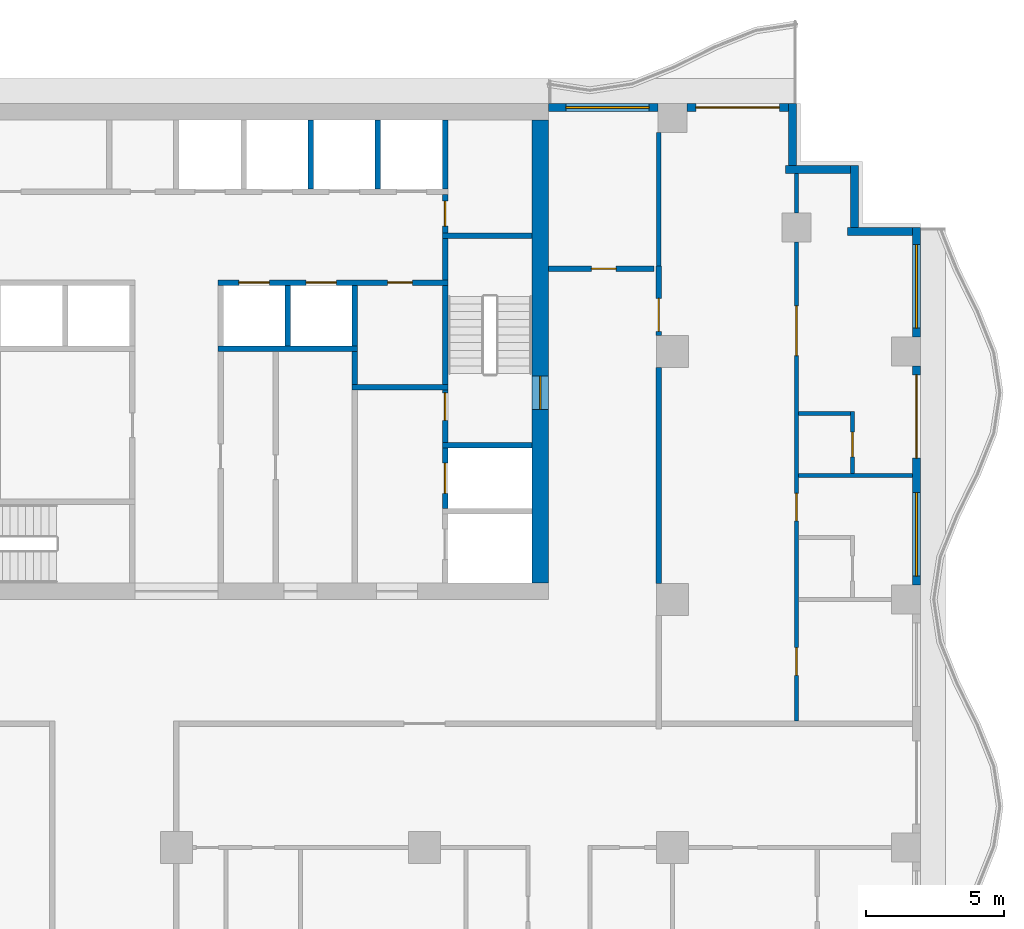
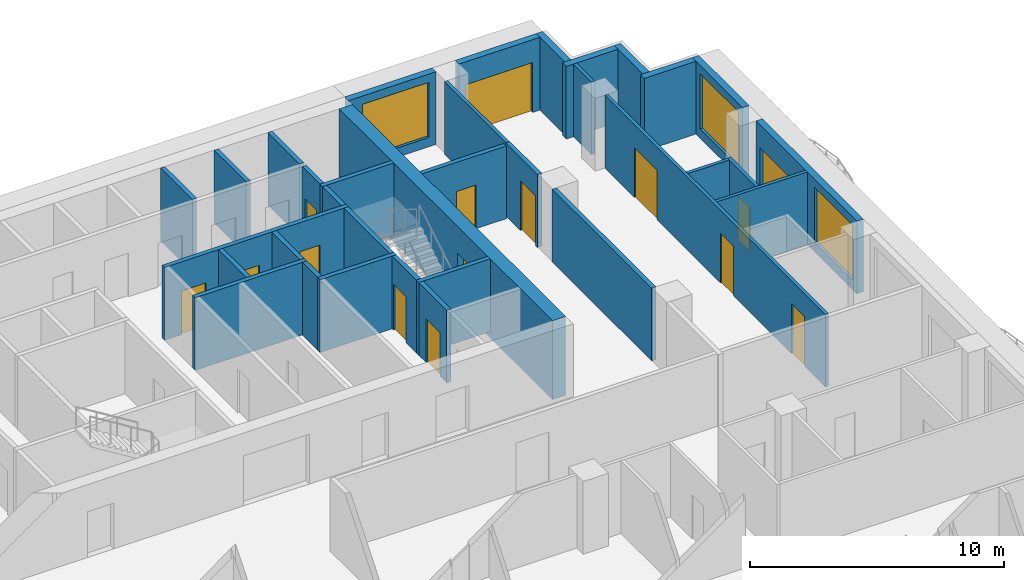
# One storey, part 6 of 11: 34 walls, 15 doors, 3 windows, 18 openings.
"""IFC4 building model written with IfcOpenShell, lengths in metres."""

from ifc_helpers import new_model, si_unit, direction, frame, frame_2d, origin, place, context, subcontext, project, spatial, rectangle, extrude, material, layer, layer_set, type_object, element, fill, save


model = new_model("IFC4")

# Units and contexts
model_context = context("Model", 3, precision=1e-05, world=origin(), true_north=direction((0.0, 1.0)))
body_context = subcontext(model_context, "Body", "Model", "MODEL_VIEW")
ifc_project = project(units=[si_unit("LENGTHUNIT", "METRE"), si_unit("AREAUNIT", "SQUARE_METRE"), si_unit("VOLUMEUNIT", "CUBIC_METRE"), si_unit("PLANEANGLEUNIT", "RADIAN"), si_unit("MASSUNIT", "GRAM", prefix="KILO")], contexts=[model_context])

# Site, building, storey
site_placement = place(None, origin())
site = spatial("IfcSite", under=ifc_project, at=site_placement, CompositionType="ELEMENT")
building_placement = place(site_placement, origin())
building = spatial("IfcBuilding", under=site, at=building_placement, Name="Orbiselva Terraces", CompositionType="ELEMENT")
storey_placement = place(building_placement, frame((0.0, 0.0, 188.2)))
storey = spatial("IfcBuildingStorey", under=building, at=storey_placement, Name="L47", CompositionType="ELEMENT", Elevation=188.2)

# Wall, opening, door
ifc_material_1 = material(Name="Concrete C80/95", Category="concrete")
ifc_layer_1 = layer(ifc_material_1, 0.6)
ifc_layer_set_1 = layer_set([ifc_layer_1], Name="Concrete C80/95")
wall_type_1 = type_object("IfcWallType", Name="CORE WALL 600", PredefinedType="SHEAR", material=ifc_layer_set_1)
wall_1_placement = place(storey_placement, frame((13.2, 5.1, -0.3), z_axis=(0.0, 0.0, 1.0), x_axis=(0.0, 1.0, 0.0)))
wall_1 = element("IfcWall", 1, at=wall_1_placement, inside=storey, type_object=wall_type_1, Name="Core wall L47 east", PredefinedType="SHEAR", context=body_context, shape_type="SweptSolid", body=[
    extrude(rectangle(XDim=16.8, YDim=0.6, at=frame_2d((8.4, 0.0))), origin(), (0.0, 0.0, 1.0), 3.8),
])
opening_1_placement = place(wall_1_placement, frame((6.3, 0.0, 0.3)))
opening_1 = element("IfcOpeningElement", 2, at=opening_1_placement, cuts=wall_1, Name="Opening DS1200", PredefinedType="OPENING", context=body_context, shape_type="SweptSolid", body=[
    extrude(rectangle(XDim=1.2, YDim=2.2, at=frame_2d((0.6, 1.1))), frame((0.0, 0.31, 0.0), z_axis=(0.0, -1.0, 0.0), x_axis=(1.0, 0.0, 0.0)), (0.0, 0.0, 1.0), 0.62),
])
ifc_material_2 = material(Name="Steel fire door", Category="steel")
door_type_1 = type_object("IfcDoorType", Name="STAIR DOOR 1200", OperationType="NOTDEFINED", PredefinedType="DOOR", material=ifc_material_2)
door_1_placement = place(opening_1_placement, frame((1.2, 0.0, 0.0), z_axis=(0.0, 0.0, 1.0), x_axis=(-1.0, 0.0, 0.0)))
door_1 = element("IfcDoor", 3, at=door_1_placement, inside=storey, type_object=door_type_1, Name="L47 EXIT STAIR S2 door", OperationType="SINGLE_SWING_LEFT", OverallHeight=2.2, OverallWidth=1.2, PredefinedType="DOOR", context=body_context, shape_type="SweptSolid", body=[
    extrude(rectangle(XDim=1.2, YDim=2.2, at=frame_2d((0.6, 1.1))), frame((0.0, 0.025, 0.0), z_axis=(0.0, -1.0, 0.0), x_axis=(1.0, 0.0, 0.0)), (0.0, 0.0, 1.0), 0.05),
])
fill(opening_1, door_1)

# Wall
ifc_material_3 = material(Name="Masonry blockwork", Category="masonry")
ifc_layer_2 = layer(ifc_material_3, 0.2)
ifc_layer_set_2 = layer_set([ifc_layer_2], Name="Masonry blockwork")
wall_type_2 = type_object("IfcWallType", Name="CORE-WALL-PARTITION-200", PredefinedType="PARTITIONING", material=ifc_layer_set_2)
wall_2_placement = place(storey_placement, frame((6.475, 12.3, 0.0), z_axis=(0.0, 0.0, 1.0), x_axis=(0.0, 1.0, 0.0)))
element("IfcWall", 4, at=wall_2_placement, inside=storey, type_object=wall_type_2, Name="L47 core wall 31", PredefinedType="PARTITIONING", context=body_context, shape_type="SweptSolid", body=[
    extrude(rectangle(XDim=1.2, YDim=0.2, at=frame_2d((0.6, 0.0))), origin(), (0.0, 0.0, 1.0), 3.5),
])

# Wall, opening, door
wall_3_placement = place(storey_placement, frame((9.75, 19.2, 0.0), z_axis=(0.0, 0.0, 1.0), x_axis=(0.0, -1.0, 0.0)))
wall_3 = element("IfcWall", 5, at=wall_3_placement, inside=storey, type_object=wall_type_2, Name="L47 core wall 42", PredefinedType="PARTITIONING", context=body_context, shape_type="SweptSolid", body=[
    extrude(rectangle(XDim=1.4, YDim=0.2, at=frame_2d((0.7, 0.0))), origin(), (0.0, 0.0, 1.0), 3.5),
])
opening_2_placement = place(wall_3_placement, frame((0.25, 0.0, 0.0)))
opening_2 = element("IfcOpeningElement", 6, at=opening_2_placement, cuts=wall_3, Name="Opening DR900", PredefinedType="OPENING", context=body_context, shape_type="SweptSolid", body=[
    extrude(rectangle(XDim=0.9, YDim=2.1, at=frame_2d((0.45, 1.05))), frame((0.0, 0.11, 0.0), z_axis=(0.0, -1.0, 0.0), x_axis=(1.0, 0.0, 0.0)), (0.0, 0.0, 1.0), 0.22),
])
door_type_2 = type_object("IfcDoorType", Name="ROOM DOOR 900", OperationType="NOTDEFINED", PredefinedType="DOOR", material=ifc_material_2)
door_2_placement = place(opening_2_placement, origin())
door_2 = element("IfcDoor", 7, at=door_2_placement, inside=storey, type_object=door_type_2, Name="L47 COMMS RISER ROOM door", OperationType="SINGLE_SWING_RIGHT", OverallHeight=2.1, OverallWidth=0.9, PredefinedType="DOOR", context=body_context, shape_type="SweptSolid", body=[
    extrude(rectangle(XDim=0.9, YDim=2.1, at=frame_2d((0.45, 1.05))), frame((0.0, 0.025, 0.0), z_axis=(0.0, -1.0, 0.0), x_axis=(1.0, 0.0, 0.0)), (0.0, 0.0, 1.0), 0.05),
])
fill(opening_2, door_2)

# Walls
ifc_material_4 = material(Name="Concrete C40/50", Category="concrete")
ifc_layer_3 = layer(ifc_material_4, 0.2)
ifc_layer_set_3 = layer_set([ifc_layer_3], Name="Concrete C40/50")
wall_type_3 = type_object("IfcWallType", Name="CORE-WALL-SHAFT-200", PredefinedType="PARTITIONING", material=ifc_layer_set_3)
wall_4_placement = place(storey_placement, frame((4.0375, 13.7, 0.0), z_axis=(0.0, 0.0, 1.0), x_axis=(0.0, 1.0, 0.0)))
element("IfcWall", 8, at=wall_4_placement, inside=storey, type_object=wall_type_3, Name="L47 core wall 27", PredefinedType="PARTITIONING", context=body_context, shape_type="SweptSolid", body=[
    extrude(rectangle(XDim=2.2, YDim=0.2, at=frame_2d((1.1, 0.0))), origin(), (0.0, 0.0, 1.0), 3.5),
])
wall_5_placement = place(storey_placement, frame((4.875, 19.4, 0.0), z_axis=(0.0, 0.0, 1.0), x_axis=(0.0, 1.0, 0.0)))
element("IfcWall", 9, at=wall_5_placement, inside=storey, type_object=wall_type_3, Name="L47 core wall 28", PredefinedType="PARTITIONING", context=body_context, shape_type="SweptSolid", body=[
    extrude(rectangle(XDim=2.5, YDim=0.2, at=frame_2d((1.25, 0.0))), origin(), (0.0, 0.0, 1.0), 3.5),
])
wall_6_placement = place(storey_placement, frame((6.475, 13.7, 0.0), z_axis=(0.0, 0.0, 1.0), x_axis=(0.0, 1.0, 0.0)))
element("IfcWall", 10, at=wall_6_placement, inside=storey, type_object=wall_type_3, Name="L47 core wall 32", PredefinedType="PARTITIONING", context=body_context, shape_type="SweptSolid", body=[
    extrude(rectangle(XDim=2.2, YDim=0.2, at=frame_2d((1.1, 0.0))), origin(), (0.0, 0.0, 1.0), 3.5),
])
for number, where, z_axis, x_axis, name in (
    (11, (7.3125, 19.4, 0.0), (0.0, 0.0, 1.0), (0.0, 1.0, 0.0), "L47 core wall 33"),
    (12, (9.75, 19.4, 0.0), (0.0, 0.0, 1.0), (0.0, 1.0, 0.0), "L47 core wall 43"),
):
    element("IfcWall", number, at=place(storey_placement, frame(where, z_axis=z_axis, x_axis=x_axis)), inside=storey, type_object=wall_type_3, Name=name, PredefinedType="PARTITIONING", context=body_context, shape_type="SweptSolid", body=[
        extrude(rectangle(XDim=2.5, YDim=0.2, at=frame_2d((1.25, 0.0))), origin(), (0.0, 0.0, 1.0), 3.5),
    ])
ifc_material_5 = material(Name="Concrete C60/75", Category="concrete")
ifc_layer_4 = layer(ifc_material_5, 0.2)
ifc_layer_set_4 = layer_set([ifc_layer_4], Name="Concrete C60/75")
wall_type_4 = type_object("IfcWallType", Name="CORE-WALL-SHEAR-200", PredefinedType="SHEAR", material=ifc_layer_set_4)
wall_7_placement = place(storey_placement, frame((1.5, 13.6, 0.0), z_axis=(0.0, 0.0, 1.0), x_axis=(1.0, 0.0, 0.0)))
element("IfcWall", 13, at=wall_7_placement, inside=storey, type_object=wall_type_4, Name="L47 core wall 22", PredefinedType="SHEAR", context=body_context, shape_type="SweptSolid", body=[
    extrude(rectangle(XDim=5.075, YDim=0.2, at=frame_2d((2.5375, 0.0))), origin(), (0.0, 0.0, 1.0), 3.5),
])

# Wall, openings, doors
wall_8_placement = place(storey_placement, frame((9.85, 16.0, 0.0), z_axis=(0.0, 0.0, 1.0), x_axis=(-1.0, 0.0, 0.0)))
wall_8 = element("IfcWall", 14, at=wall_8_placement, inside=storey, type_object=wall_type_4, Name="L47 core wall 24", PredefinedType="SHEAR", context=body_context, shape_type="SweptSolid", body=[
    extrude(rectangle(XDim=8.35, YDim=0.2, at=frame_2d((4.175, 0.0))), origin(), (0.0, 0.0, 1.0), 3.5),
])
opening_3_placement = place(wall_8_placement, frame((6.48125, 0.0, 0.0)))
opening_3 = element("IfcOpeningElement", 15, at=opening_3_placement, cuts=wall_8, Name="Opening LD-HR5", PredefinedType="OPENING", context=body_context, shape_type="SweptSolid", body=[
    extrude(rectangle(XDim=1.1, YDim=2.1, at=frame_2d((0.55, 1.05))), frame((0.0, 0.11, 0.0), z_axis=(0.0, -1.0, 0.0), x_axis=(1.0, 0.0, 0.0)), (0.0, 0.0, 1.0), 0.22),
])
opening_4_placement = place(wall_8_placement, frame((4.04375, 0.0, 0.0)))
opening_4 = element("IfcOpeningElement", 16, at=opening_4_placement, cuts=wall_8, Name="Opening LD-HR6", PredefinedType="OPENING", context=body_context, shape_type="SweptSolid", body=[
    extrude(rectangle(XDim=1.1, YDim=2.1, at=frame_2d((0.55, 1.05))), frame((0.0, 0.11, 0.0), z_axis=(0.0, -1.0, 0.0), x_axis=(1.0, 0.0, 0.0)), (0.0, 0.0, 1.0), 0.22),
])
opening_5_placement = place(wall_8_placement, frame((1.2875, 0.0, 0.0)))
opening_5 = element("IfcOpeningElement", 17, at=opening_5_placement, cuts=wall_8, Name="Opening DR900", PredefinedType="OPENING", context=body_context, shape_type="SweptSolid", body=[
    extrude(rectangle(XDim=0.9, YDim=2.1, at=frame_2d((0.45, 1.05))), frame((0.0, 0.11, 0.0), z_axis=(0.0, -1.0, 0.0), x_axis=(1.0, 0.0, 0.0)), (0.0, 0.0, 1.0), 0.22),
])
ifc_material_6 = material(Name="Stainless steel landing door", Category="steel")
door_type_3 = type_object("IfcDoorType", Name="LANDING DOOR 1100", OperationType="SLIDING_TO_LEFT", PredefinedType="DOOR", material=ifc_material_6)
door_3_placement = place(opening_3_placement, origin())
door_3 = element("IfcDoor", 18, at=door_3_placement, inside=storey, type_object=door_type_3, Name="L47 landing door HR5", OperationType="SLIDING_TO_RIGHT", OverallHeight=2.1, OverallWidth=1.1, PredefinedType="DOOR", context=body_context, shape_type="SweptSolid", body=[
    extrude(rectangle(XDim=1.1, YDim=2.1, at=frame_2d((0.55, 1.05))), frame((0.0, 0.025, 0.0), z_axis=(0.0, -1.0, 0.0), x_axis=(1.0, 0.0, 0.0)), (0.0, 0.0, 1.0), 0.05),
])
fill(opening_3, door_3)
door_4_placement = place(opening_4_placement, origin())
door_4 = element("IfcDoor", 19, at=door_4_placement, inside=storey, type_object=door_type_3, Name="L47 landing door HR6", OperationType="SLIDING_TO_RIGHT", OverallHeight=2.1, OverallWidth=1.1, PredefinedType="DOOR", context=body_context, shape_type="SweptSolid", body=[
    extrude(rectangle(XDim=1.1, YDim=2.1, at=frame_2d((0.55, 1.05))), frame((0.0, 0.025, 0.0), z_axis=(0.0, -1.0, 0.0), x_axis=(1.0, 0.0, 0.0)), (0.0, 0.0, 1.0), 0.05),
])
fill(opening_4, door_4)
door_5_placement = place(opening_5_placement, origin())
door_5 = element("IfcDoor", 20, at=door_5_placement, inside=storey, type_object=door_type_2, Name="L47 PIPE RISER ROOM door", OperationType="SINGLE_SWING_LEFT", OverallHeight=2.1, OverallWidth=0.9, PredefinedType="DOOR", context=body_context, shape_type="SweptSolid", body=[
    extrude(rectangle(XDim=0.9, YDim=2.1, at=frame_2d((0.45, 1.05))), frame((0.0, 0.025, 0.0), z_axis=(0.0, -1.0, 0.0), x_axis=(1.0, 0.0, 0.0)), (0.0, 0.0, 1.0), 0.05),
])
fill(opening_5, door_5)

# Wall
wall_9_placement = place(storey_placement, frame((6.375, 12.2, 0.0), z_axis=(0.0, 0.0, 1.0), x_axis=(1.0, 0.0, 0.0)))
element("IfcWall", 21, at=wall_9_placement, inside=storey, type_object=wall_type_4, Name="L47 core wall 30", PredefinedType="SHEAR", context=body_context, shape_type="SweptSolid", body=[
    extrude(rectangle(XDim=3.475, YDim=0.2, at=frame_2d((1.7375, 0.0))), origin(), (0.0, 0.0, 1.0), 3.5),
])

# Wall, opening, door
wall_10_placement = place(storey_placement, frame((9.75, 7.8, 0.0), z_axis=(0.0, 0.0, 1.0), x_axis=(0.0, 1.0, 0.0)))
wall_10 = element("IfcWall", 22, at=wall_10_placement, inside=storey, type_object=wall_type_4, Name="L47 core wall 36", PredefinedType="SHEAR", context=body_context, shape_type="SweptSolid", body=[
    extrude(rectangle(XDim=2.2, YDim=0.2, at=frame_2d((1.1, 0.0))), origin(), (0.0, 0.0, 1.0), 3.5),
])
opening_6_placement = place(wall_10_placement, frame((0.55, 0.0, 0.0)))
opening_6 = element("IfcOpeningElement", 23, at=opening_6_placement, cuts=wall_10, Name="Opening LD-FF2", PredefinedType="OPENING", context=body_context, shape_type="SweptSolid", body=[
    extrude(rectangle(XDim=1.1, YDim=2.1, at=frame_2d((0.55, 1.05))), frame((0.0, 0.11, 0.0), z_axis=(0.0, -1.0, 0.0), x_axis=(1.0, 0.0, 0.0)), (0.0, 0.0, 1.0), 0.22),
])
door_6_placement = place(opening_6_placement, origin())
door_6 = element("IfcDoor", 24, at=door_6_placement, inside=storey, type_object=door_type_3, Name="L47 landing door FF2", OperationType="SLIDING_TO_RIGHT", OverallHeight=2.1, OverallWidth=1.1, PredefinedType="DOOR", context=body_context, shape_type="SweptSolid", body=[
    extrude(rectangle(XDim=1.1, YDim=2.1, at=frame_2d((0.55, 1.05))), frame((0.0, 0.025, 0.0), z_axis=(0.0, -1.0, 0.0), x_axis=(1.0, 0.0, 0.0)), (0.0, 0.0, 1.0), 0.05),
])
fill(opening_6, door_6)

# Wall
wall_11_placement = place(storey_placement, frame((9.65, 10.1, 0.0), z_axis=(0.0, 0.0, 1.0), x_axis=(1.0, 0.0, 0.0)))
element("IfcWall", 25, at=wall_11_placement, inside=storey, type_object=wall_type_4, Name="L47 core wall 37", PredefinedType="SHEAR", context=body_context, shape_type="SweptSolid", body=[
    extrude(rectangle(XDim=3.25, YDim=0.2, at=frame_2d((1.625, 0.0))), origin(), (0.0, 0.0, 1.0), 3.5),
])

# Wall, opening, door
wall_12_placement = place(storey_placement, frame((9.75, 12.1, 0.0), z_axis=(0.0, 0.0, 1.0), x_axis=(0.0, -1.0, 0.0)))
wall_12 = element("IfcWall", 26, at=wall_12_placement, inside=storey, type_object=wall_type_4, Name="L47 core wall 38", PredefinedType="SHEAR", context=body_context, shape_type="SweptSolid", body=[
    extrude(rectangle(XDim=1.9, YDim=0.2, at=frame_2d((0.95, 0.0))), origin(), (0.0, 0.0, 1.0), 3.5),
])
opening_7_placement = place(wall_12_placement, frame((0.1, 0.0, 0.0)))
opening_7 = element("IfcOpeningElement", 27, at=opening_7_placement, cuts=wall_12, Name="Opening DS1000", PredefinedType="OPENING", context=body_context, shape_type="SweptSolid", body=[
    extrude(rectangle(XDim=1.0, YDim=2.2, at=frame_2d((0.5, 1.1))), frame((0.0, 0.11, 0.0), z_axis=(0.0, -1.0, 0.0), x_axis=(1.0, 0.0, 0.0)), (0.0, 0.0, 1.0), 0.22),
])
door_type_4 = type_object("IfcDoorType", Name="STAIR DOOR 1000", OperationType="NOTDEFINED", PredefinedType="DOOR", material=ifc_material_2)
door_7_placement = place(opening_7_placement, origin())
door_7 = element("IfcDoor", 28, at=door_7_placement, inside=storey, type_object=door_type_4, Name="L47 FIRE-FIGHTING LOBBY TO EXIT STAIR S2 door", OperationType="SINGLE_SWING_LEFT", OverallHeight=2.2, OverallWidth=1.0, PredefinedType="DOOR", context=body_context, shape_type="SweptSolid", body=[
    extrude(rectangle(XDim=1.0, YDim=2.2, at=frame_2d((0.5, 1.1))), frame((0.0, 0.025, 0.0), z_axis=(0.0, -1.0, 0.0), x_axis=(1.0, 0.0, 0.0)), (0.0, 0.0, 1.0), 0.05),
])
fill(opening_7, door_7)

# Walls
wall_13_placement = place(storey_placement, frame((9.75, 12.3, 0.0), z_axis=(0.0, 0.0, 1.0), x_axis=(0.0, 1.0, 0.0)))
element("IfcWall", 29, at=wall_13_placement, inside=storey, type_object=wall_type_4, Name="L47 core wall 39", PredefinedType="SHEAR", context=body_context, shape_type="SweptSolid", body=[
    extrude(rectangle(XDim=3.6, YDim=0.2, at=frame_2d((1.8, 0.0))), origin(), (0.0, 0.0, 1.0), 3.5),
])
wall_14_placement = place(storey_placement, frame((9.75, 16.1, 0.0), z_axis=(0.0, 0.0, 1.0), x_axis=(0.0, 1.0, 0.0)))
element("IfcWall", 30, at=wall_14_placement, inside=storey, type_object=wall_type_4, Name="L47 core wall 40", PredefinedType="SHEAR", context=body_context, shape_type="SweptSolid", body=[
    extrude(rectangle(XDim=1.5, YDim=0.2, at=frame_2d((0.75, 0.0))), origin(), (0.0, 0.0, 1.0), 3.5),
])
wall_15_placement = place(storey_placement, frame((9.65, 17.7, 0.0), z_axis=(0.0, 0.0, 1.0), x_axis=(1.0, 0.0, 0.0)))
element("IfcWall", 31, at=wall_15_placement, inside=storey, type_object=wall_type_4, Name="L47 core wall 41", PredefinedType="SHEAR", context=body_context, shape_type="SweptSolid", body=[
    extrude(rectangle(XDim=3.25, YDim=0.2, at=frame_2d((1.625, 0.0))), origin(), (0.0, 0.0, 1.0), 3.5),
])

# Wall, openings, door, window
ifc_material_7 = material(Name="Terracotta cladding on masonry backing", Category="masonry")
ifc_layer_5 = layer(ifc_material_7, 0.3)
ifc_layer_set_5 = layer_set([ifc_layer_5], Name="Terracotta cladding on masonry backing")
wall_type_5 = type_object("IfcWallType", Name="ENV-WALL-TERRACOTTA-300", PredefinedType="SOLIDWALL", material=ifc_layer_set_5)
wall_16_placement = place(storey_placement, frame((26.85, 12.975, 0.0), z_axis=(0.0, 0.0, 1.0), x_axis=(0.0, -1.0, 0.0)))
wall_16 = element("IfcWall", 32, at=wall_16_placement, inside=storey, type_object=wall_type_5, Name="Facade wall L47 E", PredefinedType="SOLIDWALL", context=body_context, shape_type="SweptSolid", body=[
    extrude(rectangle(XDim=7.95, YDim=0.3, at=frame_2d((3.975, 0.0))), origin(), (0.0, 0.0, 1.0), 3.5),
])
opening_8_placement = place(wall_16_placement, frame((4.6, 0.0, 0.45)))
opening_8 = element("IfcOpeningElement", 33, at=opening_8_placement, cuts=wall_16, Name="Opening WN14", PredefinedType="OPENING", context=body_context, shape_type="SweptSolid", body=[
    extrude(rectangle(XDim=3.025, YDim=2.65, at=frame_2d((1.5125, 1.325))), frame((0.0, 0.16, 0.0), z_axis=(0.0, -1.0, 0.0), x_axis=(1.0, 0.0, 0.0)), (0.0, 0.0, 1.0), 0.32),
])
opening_9_placement = place(wall_16_placement, frame((0.325, 0.0, 0.0)))
opening_9 = element("IfcOpeningElement", 34, at=opening_9_placement, cuts=wall_16, Name="Opening Z4-A-E07", PredefinedType="OPENING", context=body_context, shape_type="SweptSolid", body=[
    extrude(rectangle(XDim=3.025, YDim=2.4, at=frame_2d((1.5125, 1.2))), frame((0.0, 0.16, 0.0), z_axis=(0.0, -1.0, 0.0), x_axis=(1.0, 0.0, 0.0)), (0.0, 0.0, 1.0), 0.32),
])
ifc_material_8 = material(Name="Clear low-e glazing in aluminium frame", Category="aluminium")
door_type_5 = type_object("IfcDoorType", Name="BALCONY DOOR 3025 X 2400", OperationType="DOUBLE_DOOR_SLIDING", PredefinedType="DOOR", material=ifc_material_8)
door_8_placement = place(opening_9_placement, origin())
door_8 = element("IfcDoor", 35, at=door_8_placement, inside=storey, type_object=door_type_5, Name="Z4-A-E07", OperationType="SINGLE_SWING_LEFT", OverallHeight=2.4, OverallWidth=3.025, PredefinedType="DOOR", context=body_context, shape_type="SweptSolid", body=[
    extrude(rectangle(XDim=3.025, YDim=2.4, at=frame_2d((1.5125, 1.2))), frame((0.0, 0.025, 0.0), z_axis=(0.0, -1.0, 0.0), x_axis=(1.0, 0.0, 0.0)), (0.0, 0.0, 1.0), 0.05),
])
fill(opening_9, door_8)
window_type = type_object("IfcWindowType", Name="WINDOW 3025 X 2650 S450", PartitioningType="TRIPLE_PANEL_VERTICAL", PredefinedType="WINDOW", material=ifc_material_8)
window_1_placement = place(opening_8_placement, origin())
window_1 = element("IfcWindow", 36, at=window_1_placement, inside=storey, type_object=window_type, Name="Window L47 E", OverallHeight=2.65, OverallWidth=3.025, PartitioningType="SINGLE_PANEL", PredefinedType="WINDOW", context=body_context, shape_type="SweptSolid", body=[
    extrude(rectangle(XDim=3.025, YDim=2.65, at=frame_2d((1.5125, 1.325))), frame((0.0, 0.03, 0.0), z_axis=(0.0, -1.0, 0.0), x_axis=(1.0, 0.0, 0.0)), (0.0, 0.0, 1.0), 0.06),
])
fill(opening_8, window_1)

# Wall, opening, window
wall_17_placement = place(storey_placement, frame((26.85, 18.0, 0.0), z_axis=(0.0, 0.0, 1.0), x_axis=(0.0, -1.0, 0.0)))
wall_17 = element("IfcWall", 37, at=wall_17_placement, inside=storey, type_object=wall_type_5, Name="Facade wall L47 E", PredefinedType="SOLIDWALL", context=body_context, shape_type="SweptSolid", body=[
    extrude(rectangle(XDim=3.975, YDim=0.3, at=frame_2d((1.9875, 0.0))), origin(), (0.0, 0.0, 1.0), 3.5),
])
opening_10_placement = place(wall_17_placement, frame((0.625, 0.0, 0.45)))
opening_10 = element("IfcOpeningElement", 38, at=opening_10_placement, cuts=wall_17, Name="Opening WN14", PredefinedType="OPENING", context=body_context, shape_type="SweptSolid", body=[
    extrude(rectangle(XDim=3.025, YDim=2.65, at=frame_2d((1.5125, 1.325))), frame((0.0, 0.16, 0.0), z_axis=(0.0, -1.0, 0.0), x_axis=(1.0, 0.0, 0.0)), (0.0, 0.0, 1.0), 0.32),
])
window_2_placement = place(opening_10_placement, origin())
window_2 = element("IfcWindow", 39, at=window_2_placement, inside=storey, type_object=window_type, Name="Window L47 E", OverallHeight=2.65, OverallWidth=3.025, PartitioningType="SINGLE_PANEL", PredefinedType="WINDOW", context=body_context, shape_type="SweptSolid", body=[
    extrude(rectangle(XDim=3.025, YDim=2.65, at=frame_2d((1.5125, 1.325))), frame((0.0, 0.03, 0.0), z_axis=(0.0, -1.0, 0.0), x_axis=(1.0, 0.0, 0.0)), (0.0, 0.0, 1.0), 0.06),
])
fill(opening_10, window_2)

# Walls
wall_18_placement = place(storey_placement, frame((24.35, 17.85, 0.0), z_axis=(0.0, 0.0, 1.0), x_axis=(1.0, 0.0, 0.0)))
element("IfcWall", 40, at=wall_18_placement, inside=storey, type_object=wall_type_5, Name="Facade wall L47 STEP", PredefinedType="SOLIDWALL", context=body_context, shape_type="SweptSolid", body=[
    extrude(rectangle(XDim=2.35, YDim=0.3, at=frame_2d((1.175, 0.0))), origin(), (0.0, 0.0, 1.0), 3.5),
])
wall_19_placement = place(storey_placement, frame((24.6, 20.25, 0.0), z_axis=(0.0, 0.0, 1.0), x_axis=(0.0, -1.0, 0.0)))
element("IfcWall", 41, at=wall_19_placement, inside=storey, type_object=wall_type_5, Name="Facade wall L47 STEP", PredefinedType="SOLIDWALL", context=body_context, shape_type="SweptSolid", body=[
    extrude(rectangle(XDim=2.25, YDim=0.3, at=frame_2d((1.125, 0.0))), origin(), (0.0, 0.0, 1.0), 3.5),
])
wall_20_placement = place(storey_placement, frame((22.1, 20.1, 0.0), z_axis=(0.0, 0.0, 1.0), x_axis=(1.0, 0.0, 0.0)))
element("IfcWall", 42, at=wall_20_placement, inside=storey, type_object=wall_type_5, Name="Facade wall L47 STEP", PredefinedType="SOLIDWALL", context=body_context, shape_type="SweptSolid", body=[
    extrude(rectangle(XDim=2.35, YDim=0.3, at=frame_2d((1.175, 0.0))), origin(), (0.0, 0.0, 1.0), 3.5),
])
wall_21_placement = place(storey_placement, frame((22.35, 22.5, 0.0), z_axis=(0.0, 0.0, 1.0), x_axis=(0.0, -1.0, 0.0)))
element("IfcWall", 43, at=wall_21_placement, inside=storey, type_object=wall_type_5, Name="Facade wall L47 STEP", PredefinedType="SOLIDWALL", context=body_context, shape_type="SweptSolid", body=[
    extrude(rectangle(XDim=2.25, YDim=0.3, at=frame_2d((1.125, 0.0))), origin(), (0.0, 0.0, 1.0), 3.5),
])

# Wall, opening, door
wall_22_placement = place(storey_placement, frame((18.525, 22.35, 0.0), z_axis=(0.0, 0.0, 1.0), x_axis=(1.0, 0.0, 0.0)))
wall_22 = element("IfcWall", 44, at=wall_22_placement, inside=storey, type_object=wall_type_5, Name="Facade wall L47 NE", PredefinedType="SOLIDWALL", context=body_context, shape_type="SweptSolid", body=[
    extrude(rectangle(XDim=3.675, YDim=0.3, at=frame_2d((1.8375, 0.0))), origin(), (0.0, 0.0, 1.0), 3.5),
])
opening_11_placement = place(wall_22_placement, frame((0.325, 0.0, 0.0)))
opening_11 = element("IfcOpeningElement", 45, at=opening_11_placement, cuts=wall_22, Name="Opening Z4-A-E09", PredefinedType="OPENING", context=body_context, shape_type="SweptSolid", body=[
    extrude(rectangle(XDim=3.025, YDim=2.4, at=frame_2d((1.5125, 1.2))), frame((0.0, 0.16, 0.0), z_axis=(0.0, -1.0, 0.0), x_axis=(1.0, 0.0, 0.0)), (0.0, 0.0, 1.0), 0.32),
])
door_9_placement = place(opening_11_placement, origin())
door_9 = element("IfcDoor", 46, at=door_9_placement, inside=storey, type_object=door_type_5, Name="Z4-A-E09", OperationType="SINGLE_SWING_LEFT", OverallHeight=2.4, OverallWidth=3.025, PredefinedType="DOOR", context=body_context, shape_type="SweptSolid", body=[
    extrude(rectangle(XDim=3.025, YDim=2.4, at=frame_2d((1.5125, 1.2))), frame((0.0, 0.025, 0.0), z_axis=(0.0, -1.0, 0.0), x_axis=(1.0, 0.0, 0.0)), (0.0, 0.0, 1.0), 0.05),
])
fill(opening_11, door_9)

# Wall, opening, window
wall_23_placement = place(storey_placement, frame((13.5, 22.35, 0.0), z_axis=(0.0, 0.0, 1.0), x_axis=(1.0, 0.0, 0.0)))
wall_23 = element("IfcWall", 47, at=wall_23_placement, inside=storey, type_object=wall_type_5, Name="Facade wall L47 NE", PredefinedType="SOLIDWALL", context=body_context, shape_type="SweptSolid", body=[
    extrude(rectangle(XDim=3.975, YDim=0.3, at=frame_2d((1.9875, 0.0))), origin(), (0.0, 0.0, 1.0), 3.5),
])
opening_12_placement = place(wall_23_placement, frame((0.625, 0.0, 0.45)))
opening_12 = element("IfcOpeningElement", 48, at=opening_12_placement, cuts=wall_23, Name="Opening WN14", PredefinedType="OPENING", context=body_context, shape_type="SweptSolid", body=[
    extrude(rectangle(XDim=3.025, YDim=2.65, at=frame_2d((1.5125, 1.325))), frame((0.0, 0.16, 0.0), z_axis=(0.0, -1.0, 0.0), x_axis=(1.0, 0.0, 0.0)), (0.0, 0.0, 1.0), 0.32),
])
window_3_placement = place(opening_12_placement, origin())
window_3 = element("IfcWindow", 49, at=window_3_placement, inside=storey, type_object=window_type, Name="Window L47 NE", OverallHeight=2.65, OverallWidth=3.025, PartitioningType="SINGLE_PANEL", PredefinedType="WINDOW", context=body_context, shape_type="SweptSolid", body=[
    extrude(rectangle(XDim=3.025, YDim=2.65, at=frame_2d((1.5125, 1.325))), frame((0.0, 0.03, 0.0), z_axis=(0.0, -1.0, 0.0), x_axis=(1.0, 0.0, 0.0)), (0.0, 0.0, 1.0), 0.06),
])
fill(opening_12, window_3)

# Wall, opening, door
ifc_material_9 = material(Name="Plasterboard on steel stud partition", Category="steel")
ifc_layer_6 = layer(ifc_material_9, 0.2)
ifc_layer_set_6 = layer_set([ifc_layer_6], Name="Plasterboard on steel stud partition")
wall_type_6 = type_object("IfcWallType", Name="UNIT-ENTRANCE-WALL-200", PredefinedType="PARTITIONING", material=ifc_layer_set_6)
wall_24_placement = place(storey_placement, frame((13.5, 16.5, 0.0), z_axis=(0.0, 0.0, 1.0), x_axis=(1.0, 0.0, 0.0)))
wall_24 = element("IfcWall", 50, at=wall_24_placement, inside=storey, type_object=wall_type_6, Name="PARTITION L47-039", PredefinedType="PARTITIONING", context=body_context, shape_type="SweptSolid", body=[
    extrude(rectangle(XDim=3.825, YDim=0.2, at=frame_2d((1.9125, 0.0))), origin(), (0.0, 0.0, 1.0), 3.5),
])
opening_13_placement = place(wall_24_placement, frame((1.55, 0.0, 0.0)))
opening_13 = element("IfcOpeningElement", 51, at=opening_13_placement, cuts=wall_24, Name="Opening Z4-A-01", PredefinedType="OPENING", context=body_context, shape_type="SweptSolid", body=[
    extrude(rectangle(XDim=0.9, YDim=2.1, at=frame_2d((0.45, 1.05))), frame((0.0, 0.11, 0.0), z_axis=(0.0, -1.0, 0.0), x_axis=(1.0, 0.0, 0.0)), (0.0, 0.0, 1.0), 0.22),
])
ifc_material_10 = material(Name="Painted timber door leaf", Category="wood")
door_type_6 = type_object("IfcDoorType", Name="SERVICE DOOR 900", OperationType="NOTDEFINED", PredefinedType="DOOR", material=ifc_material_10)
door_10_placement = place(opening_13_placement, origin())
door_10 = element("IfcDoor", 52, at=door_10_placement, inside=storey, type_object=door_type_6, Name="Z4-A-01", OperationType="SINGLE_SWING_RIGHT", OverallHeight=2.1, OverallWidth=0.9, PredefinedType="DOOR", context=body_context, shape_type="SweptSolid", body=[
    extrude(rectangle(XDim=0.9, YDim=2.1, at=frame_2d((0.45, 1.05))), frame((0.0, 0.025, 0.0), z_axis=(0.0, -1.0, 0.0), x_axis=(1.0, 0.0, 0.0)), (0.0, 0.0, 1.0), 0.05),
])
fill(opening_13, door_10)

# Wall
wall_25_placement = place(storey_placement, frame((17.5, 5.075, 0.0), z_axis=(0.0, 0.0, 1.0), x_axis=(0.0, 1.0, 0.0)))
element("IfcWall", 53, at=wall_25_placement, inside=storey, type_object=wall_type_6, Name="PARTITION L47-073", PredefinedType="PARTITIONING", context=body_context, shape_type="SweptSolid", body=[
    extrude(rectangle(XDim=7.85, YDim=0.2, at=frame_2d((3.925, 0.0))), origin(), (0.0, 0.0, 1.0), 3.5),
])

# Wall, opening, door
wall_26_placement = place(storey_placement, frame((17.5, 16.6, 0.0), z_axis=(0.0, 0.0, 1.0), x_axis=(0.0, -1.0, 0.0)))
wall_26 = element("IfcWall", 54, at=wall_26_placement, inside=storey, type_object=wall_type_6, Name="PARTITION L47-074", PredefinedType="PARTITIONING", context=body_context, shape_type="SweptSolid", body=[
    extrude(rectangle(XDim=2.525, YDim=0.2, at=frame_2d((1.2625, 0.0))), origin(), (0.0, 0.0, 1.0), 3.5),
])
opening_14_placement = place(wall_26_placement, frame((1.175, 0.0, 0.0)))
opening_14 = element("IfcOpeningElement", 55, at=opening_14_placement, cuts=wall_26, Name="Opening Z4-A-08", PredefinedType="OPENING", context=body_context, shape_type="SweptSolid", body=[
    extrude(rectangle(XDim=1.2, YDim=2.4, at=frame_2d((0.6, 1.2))), frame((0.0, 0.11, 0.0), z_axis=(0.0, -1.0, 0.0), x_axis=(1.0, 0.0, 0.0)), (0.0, 0.0, 1.0), 0.22),
])
door_type_7 = type_object("IfcDoorType", Name="ENTRANCE DOOR 1200", OperationType="NOTDEFINED", PredefinedType="DOOR", material=ifc_material_10)
door_11_placement = place(opening_14_placement, origin())
door_11 = element("IfcDoor", 56, at=door_11_placement, inside=storey, type_object=door_type_7, Name="Z4-A-08", OperationType="SINGLE_SWING_RIGHT", OverallHeight=2.4, OverallWidth=1.2, PredefinedType="DOOR", context=body_context, shape_type="SweptSolid", body=[
    extrude(rectangle(XDim=1.2, YDim=2.4, at=frame_2d((0.6, 1.2))), frame((0.0, 0.025, 0.0), z_axis=(0.0, -1.0, 0.0), x_axis=(1.0, 0.0, 0.0)), (0.0, 0.0, 1.0), 0.05),
])
fill(opening_14, door_11)

# Walls
ifc_layer_7 = layer(ifc_material_9, 0.15)
ifc_layer_set_7 = layer_set([ifc_layer_7], Name="Plasterboard on steel stud partition")
wall_type_7 = type_object("IfcWallType", Name="UNIT-PARTITION-150", PredefinedType="PARTITIONING", material=ifc_layer_set_7)
wall_27_placement = place(storey_placement, frame((22.575, 9.0, 0.0), z_axis=(0.0, 0.0, 1.0), x_axis=(1.0, 0.0, 0.0)))
element("IfcWall", 57, at=wall_27_placement, inside=storey, type_object=wall_type_7, Name="PARTITION L47-035", PredefinedType="PARTITIONING", context=body_context, shape_type="SweptSolid", body=[
    extrude(rectangle(XDim=4.125, YDim=0.15, at=frame_2d((2.0625, 0.0))), origin(), (0.0, 0.0, 1.0), 3.5),
])
wall_28_placement = place(storey_placement, frame((22.575, 11.25, 0.0), z_axis=(0.0, 0.0, 1.0), x_axis=(1.0, 0.0, 0.0)))
element("IfcWall", 58, at=wall_28_placement, inside=storey, type_object=wall_type_7, Name="PARTITION L47-036", PredefinedType="PARTITIONING", context=body_context, shape_type="SweptSolid", body=[
    extrude(rectangle(XDim=1.875, YDim=0.15, at=frame_2d((0.9375, 0.0))), origin(), (0.0, 0.0, 1.0), 3.5),
])
wall_29_placement = place(storey_placement, frame((17.5, 16.4, 0.0), z_axis=(0.0, 0.0, 1.0), x_axis=(0.0, 1.0, 0.0)))
element("IfcWall", 59, at=wall_29_placement, inside=storey, type_object=wall_type_7, Name="PARTITION L47-075", PredefinedType="PARTITIONING", context=body_context, shape_type="SweptSolid", body=[
    extrude(rectangle(XDim=5.05, YDim=0.15, at=frame_2d((2.525, 0.0))), origin(), (0.0, 0.0, 1.0), 3.5),
])

# Wall, openings, doors
wall_30_placement = place(storey_placement, frame((22.5, 17.475, 0.0), z_axis=(0.0, 0.0, 1.0), x_axis=(0.0, -1.0, 0.0)))
wall_30 = element("IfcWall", 60, at=wall_30_placement, inside=storey, type_object=wall_type_7, Name="PARTITION L47-081", PredefinedType="PARTITIONING", context=body_context, shape_type="SweptSolid", body=[
    extrude(rectangle(XDim=17.375, YDim=0.15, at=frame_2d((8.6875, 0.0))), origin(), (0.0, 0.0, 1.0), 3.5),
])
opening_15_placement = place(wall_30_placement, frame((14.725, 0.0, 0.0)))
opening_15 = element("IfcOpeningElement", 61, at=opening_15_placement, cuts=wall_30, Name="Opening Z4-A-09", PredefinedType="OPENING", context=body_context, shape_type="SweptSolid", body=[
    extrude(rectangle(XDim=1.0, YDim=2.4, at=frame_2d((0.5, 1.2))), frame((0.0, 0.085, 0.0), z_axis=(0.0, -1.0, 0.0), x_axis=(1.0, 0.0, 0.0)), (0.0, 0.0, 1.0), 0.17),
])
opening_16_placement = place(wall_30_placement, frame((9.125, 0.0, 0.0)))
opening_16 = element("IfcOpeningElement", 62, at=opening_16_placement, cuts=wall_30, Name="Opening Z4-A-10", PredefinedType="OPENING", context=body_context, shape_type="SweptSolid", body=[
    extrude(rectangle(XDim=1.0, YDim=2.4, at=frame_2d((0.5, 1.2))), frame((0.0, 0.085, 0.0), z_axis=(0.0, -1.0, 0.0), x_axis=(1.0, 0.0, 0.0)), (0.0, 0.0, 1.0), 0.17),
])
opening_17_placement = place(wall_30_placement, frame((2.325, 0.0, 0.0)))
opening_17 = element("IfcOpeningElement", 63, at=opening_17_placement, cuts=wall_30, Name="Opening Z4-A-12", PredefinedType="OPENING", context=body_context, shape_type="SweptSolid", body=[
    extrude(rectangle(XDim=1.8, YDim=2.4, at=frame_2d((0.9, 1.2))), frame((0.0, 0.085, 0.0), z_axis=(0.0, -1.0, 0.0), x_axis=(1.0, 0.0, 0.0)), (0.0, 0.0, 1.0), 0.17),
])
door_type_8 = type_object("IfcDoorType", Name="DOUBLE DOOR 1800", OperationType="NOTDEFINED", PredefinedType="DOOR", material=ifc_material_10)
door_12_placement = place(opening_17_placement, origin())
door_12 = element("IfcDoor", 64, at=door_12_placement, inside=storey, type_object=door_type_8, Name="Z4-A-12", OperationType="DOUBLE_DOOR_SINGLE_SWING", OverallHeight=2.4, OverallWidth=1.8, PredefinedType="DOOR", context=body_context, shape_type="SweptSolid", body=[
    extrude(rectangle(XDim=1.8, YDim=2.4, at=frame_2d((0.9, 1.2))), frame((0.0, 0.025, 0.0), z_axis=(0.0, -1.0, 0.0), x_axis=(1.0, 0.0, 0.0)), (0.0, 0.0, 1.0), 0.05),
])
fill(opening_17, door_12)
door_type_9 = type_object("IfcDoorType", Name="ROOM DOOR 1000", OperationType="NOTDEFINED", PredefinedType="DOOR", material=ifc_material_10)
door_13_placement = place(opening_15_placement, origin())
door_13 = element("IfcDoor", 65, at=door_13_placement, inside=storey, type_object=door_type_9, Name="Z4-A-09", OperationType="SINGLE_SWING_RIGHT", OverallHeight=2.4, OverallWidth=1.0, PredefinedType="DOOR", context=body_context, shape_type="SweptSolid", body=[
    extrude(rectangle(XDim=1.0, YDim=2.4, at=frame_2d((0.5, 1.2))), frame((0.0, 0.025, 0.0), z_axis=(0.0, -1.0, 0.0), x_axis=(1.0, 0.0, 0.0)), (0.0, 0.0, 1.0), 0.05),
])
fill(opening_15, door_13)
door_14_placement = place(opening_16_placement, origin())
door_14 = element("IfcDoor", 66, at=door_14_placement, inside=storey, type_object=door_type_9, Name="Z4-A-10", OperationType="SINGLE_SWING_RIGHT", OverallHeight=2.4, OverallWidth=1.0, PredefinedType="DOOR", context=body_context, shape_type="SweptSolid", body=[
    extrude(rectangle(XDim=1.0, YDim=2.4, at=frame_2d((0.5, 1.2))), frame((0.0, 0.025, 0.0), z_axis=(0.0, -1.0, 0.0), x_axis=(1.0, 0.0, 0.0)), (0.0, 0.0, 1.0), 0.05),
])
fill(opening_16, door_14)

# Wall
wall_31_placement = place(storey_placement, frame((22.5, 18.525, 0.0), z_axis=(0.0, 0.0, 1.0), x_axis=(0.0, 1.0, 0.0)))
element("IfcWall", 67, at=wall_31_placement, inside=storey, type_object=wall_type_7, Name="PARTITION L47-082", PredefinedType="PARTITIONING", context=body_context, shape_type="SweptSolid", body=[
    extrude(rectangle(XDim=1.425, YDim=0.15, at=frame_2d((0.7125, 0.0))), origin(), (0.0, 0.0, 1.0), 3.5),
])

# Wall, opening, door
wall_32_placement = place(storey_placement, frame((24.525, 9.075, 0.0), z_axis=(0.0, 0.0, 1.0), x_axis=(0.0, 1.0, 0.0)))
wall_32 = element("IfcWall", 68, at=wall_32_placement, inside=storey, type_object=wall_type_7, Name="PARTITION L47-085", PredefinedType="PARTITIONING", context=body_context, shape_type="SweptSolid", body=[
    extrude(rectangle(XDim=2.25, YDim=0.15, at=frame_2d((1.125, 0.0))), origin(), (0.0, 0.0, 1.0), 3.5),
])
opening_18_placement = place(wall_32_placement, frame((0.6, 0.0, 0.0)))
opening_18 = element("IfcOpeningElement", 69, at=opening_18_placement, cuts=wall_32, Name="Opening Z4-A-13", PredefinedType="OPENING", context=body_context, shape_type="SweptSolid", body=[
    extrude(rectangle(XDim=0.9, YDim=2.1, at=frame_2d((0.45, 1.05))), frame((0.0, 0.085, 0.0), z_axis=(0.0, -1.0, 0.0), x_axis=(1.0, 0.0, 0.0)), (0.0, 0.0, 1.0), 0.17),
])
door_type_10 = type_object("IfcDoorType", Name="BATH DOOR 900", OperationType="NOTDEFINED", PredefinedType="DOOR", material=ifc_material_10)
door_15_placement = place(opening_18_placement, origin())
door_15 = element("IfcDoor", 70, at=door_15_placement, inside=storey, type_object=door_type_10, Name="Z4-A-13", OperationType="SINGLE_SWING_LEFT", OverallHeight=2.1, OverallWidth=0.9, PredefinedType="DOOR", context=body_context, shape_type="SweptSolid", body=[
    extrude(rectangle(XDim=0.9, YDim=2.1, at=frame_2d((0.45, 1.05))), frame((0.0, 0.025, 0.0), z_axis=(0.0, -1.0, 0.0), x_axis=(1.0, 0.0, 0.0)), (0.0, 0.0, 1.0), 0.05),
])
fill(opening_18, door_15)

save(model, "model.ifc")
